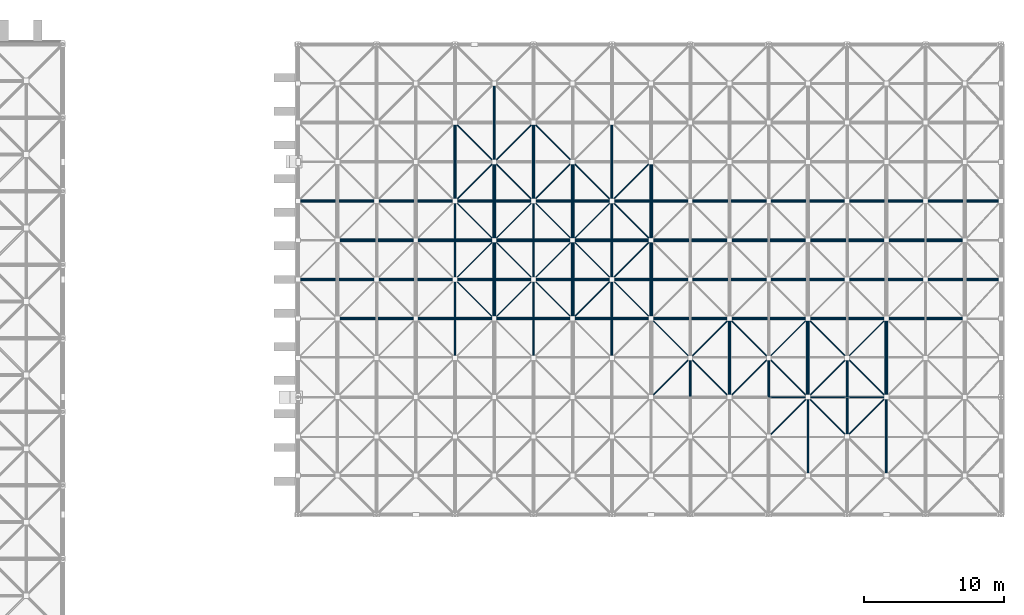
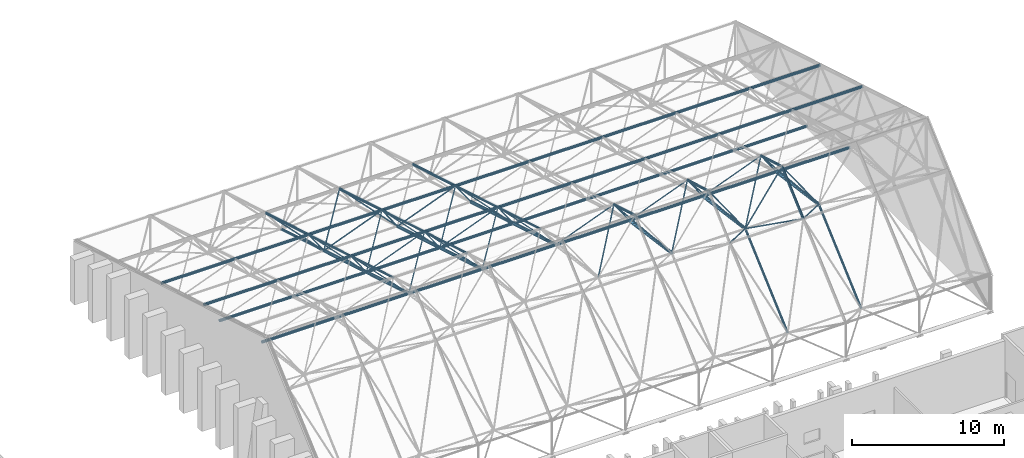
# One storey, part 36 of 100: 70 members.
"""IFC4 building model written with IfcOpenShell, lengths in metres."""

from ifc_helpers import new_model, si_unit, direction, frame, origin, origin_2d, place, context, subcontext, project, spatial, hollow_circle, extrude, material, material_profile, profile_set, type_object, element, save


model = new_model("IFC4")

# Units and contexts
model_context = context("Model", 3, precision=1e-05, world=origin(), true_north=direction((0.0, 1.0)))
body_context = subcontext(model_context, "Body", "Model", "MODEL_VIEW")
ifc_project = project(units=[si_unit("LENGTHUNIT", "METRE"), si_unit("AREAUNIT", "SQUARE_METRE"), si_unit("VOLUMEUNIT", "CUBIC_METRE"), si_unit("PLANEANGLEUNIT", "RADIAN"), si_unit("MASSUNIT", "GRAM", prefix="KILO")], contexts=[model_context])

# Site, building, storey
site_placement = place(None, origin())
site = spatial("IfcSite", under=ifc_project, at=site_placement, CompositionType="ELEMENT")
building_placement = place(site_placement, origin())
building = spatial("IfcBuilding", under=site, at=building_placement, Name="Kiln Court Media Centre", CompositionType="ELEMENT")
storey_placement = place(building_placement, frame((0.0, 0.0, 15.0)))
storey = spatial("IfcBuildingStorey", under=building, at=storey_placement, Name="L03", CompositionType="ELEMENT", Elevation=15.0)

# Members
ifc_material_1 = material(Name="Steel ASTM A500 Gr C", Category="steel")
ifc_material_profile_1 = material_profile(ifc_material_1, hollow_circle(Radius=0.05078125, WallThickness=0.0048828125, at=origin_2d()), Name="CHS 101.6x5.0")
ifc_profile_set_1 = profile_set([ifc_material_profile_1], Name="Steel ASTM A500 Gr C")
member_type_1 = type_object("IfcMemberType", Name="Steel ASTM A500 Gr C CHS 101.6x5.0 space frame brace", PredefinedType="BRACE", material=ifc_profile_set_1)
member_1_placement = place(storey_placement, frame((142.800048828125, 42.0, 6.478271484375), z_axis=(0.550758393182, 0.550758393182, 0.627160573281), x_axis=(-0.707106781187, 0.707106781187, 0.0)))
element("IfcMember", 1, at=member_1_placement, inside=storey, type_object=member_type_1, Name="V2 roof diagonal 2-5 space frame brace", PredefinedType="BRACE", context=body_context, shape_type="SweptSolid", body=[
    extrude(hollow_circle(Radius=0.05078125, WallThickness=0.0048828125, at=origin_2d()), origin(), (0.0, 0.0, 1.0), 5.083984375),
])
member_2_placement = place(storey_placement, frame((148.39990234375, 42.0, 6.478271484375), z_axis=(-0.550724936959, 0.550772959713, 0.627177160506), x_axis=(-0.70713760873, -0.707075952299, 0.0)))
element("IfcMember", 2, at=member_2_placement, inside=storey, type_object=member_type_1, Name="V2 roof diagonal 2-6 space frame brace", PredefinedType="BRACE", context=body_context, shape_type="SweptSolid", body=[
    extrude(hollow_circle(Radius=0.05078125, WallThickness=0.0048828125, at=origin_2d()), origin(), (0.0, 0.0, 1.0), 5.083740234375),
])
member_3_placement = place(storey_placement, frame((148.39990234375, 42.0, 6.478271484375), z_axis=(0.550758393182, 0.550758393182, 0.627160573281), x_axis=(-0.707106781187, 0.707106781187, 0.0)))
element("IfcMember", 3, at=member_3_placement, inside=storey, type_object=member_type_1, Name="V2 roof diagonal 2-6 space frame brace", PredefinedType="BRACE", context=body_context, shape_type="SweptSolid", body=[
    extrude(hollow_circle(Radius=0.05078125, WallThickness=0.0048828125, at=origin_2d()), origin(), (0.0, 0.0, 1.0), 5.083984375),
])
member_4_placement = place(storey_placement, frame((154.0, 42.0, 6.478271484375), z_axis=(-0.660047429834, -0.660047429834, 0.358712671563), x_axis=(0.707106781187, -0.707106781187, 0.0)))
element("IfcMember", 4, at=member_4_placement, inside=storey, type_object=member_type_1, Name="V2 roof diagonal 2-7 space frame brace", PredefinedType="BRACE", context=body_context, shape_type="SweptSolid", body=[
    extrude(hollow_circle(Radius=0.05078125, WallThickness=0.0048828125, at=origin_2d()), origin(), (0.0, 0.0, 1.0), 4.2421875),
])
member_5_placement = place(storey_placement, frame((154.0, 42.0, 6.478271484375), z_axis=(-0.550758393182, 0.550758393182, 0.627160573281), x_axis=(-0.707106781187, -0.707106781187, 0.0)))
element("IfcMember", 5, at=member_5_placement, inside=storey, type_object=member_type_1, Name="V2 roof diagonal 2-7 space frame brace", PredefinedType="BRACE", context=body_context, shape_type="SweptSolid", body=[
    extrude(hollow_circle(Radius=0.05078125, WallThickness=0.0048828125, at=origin_2d()), origin(), (0.0, 0.0, 1.0), 5.083984375),
])
member_6_placement = place(storey_placement, frame((154.0, 42.0, 6.478271484375), z_axis=(0.660047429834, -0.660047429834, 0.358712671563), x_axis=(0.707106781187, 0.707106781187, 0.0)))
element("IfcMember", 6, at=member_6_placement, inside=storey, type_object=member_type_1, Name="V2 roof diagonal 2-7 space frame brace", PredefinedType="BRACE", context=body_context, shape_type="SweptSolid", body=[
    extrude(hollow_circle(Radius=0.05078125, WallThickness=0.0048828125, at=origin_2d()), origin(), (0.0, 0.0, 1.0), 4.2421875),
])
member_7_placement = place(storey_placement, frame((154.0, 42.0, 6.478271484375), z_axis=(0.550758393182, 0.550758393182, 0.627160573281), x_axis=(-0.707106781187, 0.707106781187, 0.0)))
element("IfcMember", 7, at=member_7_placement, inside=storey, type_object=member_type_1, Name="V2 roof diagonal 2-7 space frame brace", PredefinedType="BRACE", context=body_context, shape_type="SweptSolid", body=[
    extrude(hollow_circle(Radius=0.05078125, WallThickness=0.0048828125, at=origin_2d()), origin(), (0.0, 0.0, 1.0), 5.083984375),
])
for number, where, z_axis, x_axis, name in (
    (8, (154.0, 42.0, 6.478271484375), (-0.571384117126, 0.0, 0.820682758864), (0.0, -1.0, 0.0), "V2 roof ridge diagonal 2-7 space frame brace"),
    (9, (154.0, 42.0, 6.478271484375), (0.571384117126, 0.0, 0.820682758864), (0.0, 1.0, 0.0), "V2 roof ridge diagonal 2-7 space frame brace"),
):
    element("IfcMember", number, at=place(storey_placement, frame(where, z_axis=z_axis, x_axis=x_axis)), inside=storey, type_object=member_type_1, Name=name, PredefinedType="BRACE", context=body_context, shape_type="SweptSolid", body=[
        extrude(hollow_circle(Radius=0.05078125, WallThickness=0.0048828125, at=origin_2d()), origin(), (0.0, 0.0, 1.0), 4.900390625),
    ])
member_8_placement = place(storey_placement, frame((159.60009765625, 42.0, 6.478271484375), z_axis=(-0.660047429834, -0.660047429834, 0.358712671563), x_axis=(0.707106781187, -0.707106781187, 0.0)))
element("IfcMember", 10, at=member_8_placement, inside=storey, type_object=member_type_1, Name="V2 roof diagonal 2-8 space frame brace", PredefinedType="BRACE", context=body_context, shape_type="SweptSolid", body=[
    extrude(hollow_circle(Radius=0.05078125, WallThickness=0.0048828125, at=origin_2d()), origin(), (0.0, 0.0, 1.0), 4.2421875),
])
member_9_placement = place(storey_placement, frame((159.60009765625, 42.0, 6.478271484375), z_axis=(-0.550758393182, 0.550758393182, 0.627160573281), x_axis=(-0.707106781187, -0.707106781187, 0.0)))
element("IfcMember", 11, at=member_9_placement, inside=storey, type_object=member_type_1, Name="V2 roof diagonal 2-8 space frame brace", PredefinedType="BRACE", context=body_context, shape_type="SweptSolid", body=[
    extrude(hollow_circle(Radius=0.05078125, WallThickness=0.0048828125, at=origin_2d()), origin(), (0.0, 0.0, 1.0), 5.083984375),
])
member_10_placement = place(storey_placement, frame((159.60009765625, 42.0, 6.478271484375), z_axis=(-0.571384117126, 0.0, 0.820682758864), x_axis=(0.0, -1.0, 0.0)))
element("IfcMember", 12, at=member_10_placement, inside=storey, type_object=member_type_1, Name="V2 roof ridge diagonal 2-8 space frame brace", PredefinedType="BRACE", context=body_context, shape_type="SweptSolid", body=[
    extrude(hollow_circle(Radius=0.05078125, WallThickness=0.0048828125, at=origin_2d()), origin(), (0.0, 0.0, 1.0), 4.900390625),
])
member_11_placement = place(storey_placement, frame((131.60009765625, 58.800048828125, 2.3701171875), z_axis=(-0.499793739087, -0.499793739087, 0.707398357886), x_axis=(0.707106781187, -0.707106781187, 0.0)))
element("IfcMember", 13, at=member_11_placement, inside=storey, type_object=member_type_1, Name="V2 roof diagonal 5-3 space frame brace", PredefinedType="BRACE", context=body_context, shape_type="SweptSolid", body=[
    extrude(hollow_circle(Radius=0.05078125, WallThickness=0.0048828125, at=origin_2d()), origin(), (0.0, 0.0, 1.0), 5.602294921875),
])
member_12_placement = place(storey_placement, frame((131.60009765625, 58.800048828125, 2.3701171875), z_axis=(-0.611675588557, 0.611675588557, 0.501703048353), x_axis=(-0.707106781187, -0.707106781187, 0.0)))
element("IfcMember", 14, at=member_12_placement, inside=storey, type_object=member_type_1, Name="V2 roof diagonal 5-3 space frame brace", PredefinedType="BRACE", context=body_context, shape_type="SweptSolid", body=[
    extrude(hollow_circle(Radius=0.05078125, WallThickness=0.0048828125, at=origin_2d()), origin(), (0.0, 0.0, 1.0), 4.57763671875),
])
member_13_placement = place(storey_placement, frame((131.60009765625, 58.800048828125, 2.3701171875), z_axis=(0.499761045685, -0.49980462443, 0.70741376479), x_axis=(0.70713760873, 0.707075952299, 0.0)))
element("IfcMember", 15, at=member_13_placement, inside=storey, type_object=member_type_1, Name="V2 roof diagonal 5-3 space frame brace", PredefinedType="BRACE", context=body_context, shape_type="SweptSolid", body=[
    extrude(hollow_circle(Radius=0.05078125, WallThickness=0.0048828125, at=origin_2d()), origin(), (0.0, 0.0, 1.0), 5.602294921875),
])
member_14_placement = place(storey_placement, frame((131.60009765625, 58.800048828125, 2.3701171875), z_axis=(0.611642208339, 0.611695543028, 0.501719415229), x_axis=(-0.70713760873, 0.707075952299, 0.0)))
element("IfcMember", 16, at=member_14_placement, inside=storey, type_object=member_type_1, Name="V2 roof diagonal 5-3 space frame brace", PredefinedType="BRACE", context=body_context, shape_type="SweptSolid", body=[
    extrude(hollow_circle(Radius=0.05078125, WallThickness=0.0048828125, at=origin_2d()), origin(), (0.0, 0.0, 1.0), 4.57763671875),
])
member_15_placement = place(storey_placement, frame((137.199951171875, 58.800048828125, 2.3701171875), z_axis=(-0.499793739087, -0.499793739087, 0.707398357886), x_axis=(0.707106781187, -0.707106781187, 0.0)))
element("IfcMember", 17, at=member_15_placement, inside=storey, type_object=member_type_1, Name="V2 roof diagonal 5-4 space frame brace", PredefinedType="BRACE", context=body_context, shape_type="SweptSolid", body=[
    extrude(hollow_circle(Radius=0.05078125, WallThickness=0.0048828125, at=origin_2d()), origin(), (0.0, 0.0, 1.0), 5.602294921875),
])
member_16_placement = place(storey_placement, frame((137.199951171875, 58.800048828125, 2.3701171875), z_axis=(-0.611675588557, 0.611675588557, 0.501703048353), x_axis=(-0.707106781187, -0.707106781187, 0.0)))
element("IfcMember", 18, at=member_16_placement, inside=storey, type_object=member_type_1, Name="V2 roof diagonal 5-4 space frame brace", PredefinedType="BRACE", context=body_context, shape_type="SweptSolid", body=[
    extrude(hollow_circle(Radius=0.05078125, WallThickness=0.0048828125, at=origin_2d()), origin(), (0.0, 0.0, 1.0), 4.57763671875),
])
for number, where, z_axis, x_axis, name in (
    (19, (137.199951171875, 58.800048828125, 2.3701171875), (0.499793739087, -0.499793739087, 0.707398357886), (0.707106781187, 0.707106781187, 0.0), "V2 roof diagonal 5-4 space frame brace"),
    (20, (142.800048828125, 58.800048828125, 2.3701171875), (-0.499793739087, -0.499793739087, 0.707398357886), (0.707106781187, -0.707106781187, 0.0), "V2 roof diagonal 5-5 space frame brace"),
):
    element("IfcMember", number, at=place(storey_placement, frame(where, z_axis=z_axis, x_axis=x_axis)), inside=storey, type_object=member_type_1, Name=name, PredefinedType="BRACE", context=body_context, shape_type="SweptSolid", body=[
        extrude(hollow_circle(Radius=0.05078125, WallThickness=0.0048828125, at=origin_2d()), origin(), (0.0, 0.0, 1.0), 5.602294921875),
    ])
ifc_material_2 = material(Name="Steel ASTM A500 Gr C", Category="steel")
ifc_material_profile_2 = material_profile(ifc_material_2, hollow_circle(Radius=0.084228515625, WallThickness=0.00634765625, at=origin_2d()), Name="CHS 168.3x6.3")
ifc_profile_set_2 = profile_set([ifc_material_profile_2], Name="Steel ASTM A500 Gr C")
member_type_2 = type_object("IfcMemberType", Name="Steel ASTM A500 Gr C CHS 168.3x6.3 space frame chord", PredefinedType="CHORD", material=ifc_profile_set_2)
member_17_placement = place(storey_placement, frame((128.800048828125, 44.800048828125, 9.666748046875), z_axis=(0.0, 0.958446230045, -0.285273244649), x_axis=(-1.0, 0.0, 0.0)))
element("IfcMember", 21, at=member_17_placement, inside=storey, type_object=member_type_2, Name="V2 roof top chord across line 3 space frame chord", PredefinedType="CHORD", context=body_context, shape_type="SweptSolid", body=[
    extrude(hollow_circle(Radius=0.084228515625, WallThickness=0.00634765625, at=origin_2d()), origin(), (0.0, 0.0, 1.0), 5.842529296875),
])
member_18_placement = place(storey_placement, frame((128.800048828125, 50.39990234375, 8.0), z_axis=(0.0, 0.958449630422, -0.285261819988), x_axis=(-1.0, 0.0, 0.0)))
element("IfcMember", 22, at=member_18_placement, inside=storey, type_object=member_type_2, Name="V2 roof top chord across line 3 space frame chord", PredefinedType="CHORD", context=body_context, shape_type="SweptSolid", body=[
    extrude(hollow_circle(Radius=0.084228515625, WallThickness=0.00634765625, at=origin_2d()), origin(), (0.0, 0.0, 1.0), 5.8427734375),
])
member_19_placement = place(storey_placement, frame((134.39990234375, 44.800048828125, 9.666748046875), z_axis=(0.0, 0.958446230045, -0.285273244649), x_axis=(-1.0, 0.0, 0.0)))
element("IfcMember", 23, at=member_19_placement, inside=storey, type_object=member_type_2, Name="V2 roof top chord across line 4 space frame chord", PredefinedType="CHORD", context=body_context, shape_type="SweptSolid", body=[
    extrude(hollow_circle(Radius=0.084228515625, WallThickness=0.00634765625, at=origin_2d()), origin(), (0.0, 0.0, 1.0), 5.842529296875),
])
member_20_placement = place(storey_placement, frame((134.39990234375, 50.39990234375, 8.0), z_axis=(0.0, 0.958449630422, -0.285261819988), x_axis=(-1.0, 0.0, 0.0)))
element("IfcMember", 24, at=member_20_placement, inside=storey, type_object=member_type_2, Name="V2 roof top chord across line 4 space frame chord", PredefinedType="CHORD", context=body_context, shape_type="SweptSolid", body=[
    extrude(hollow_circle(Radius=0.084228515625, WallThickness=0.00634765625, at=origin_2d()), origin(), (0.0, 0.0, 1.0), 5.8427734375),
])
member_21_placement = place(storey_placement, frame((140.0, 44.800048828125, 9.666748046875), z_axis=(0.0, 0.958446230045, -0.285273244649), x_axis=(-1.0, 0.0, 0.0)))
element("IfcMember", 25, at=member_21_placement, inside=storey, type_object=member_type_2, Name="V2 roof top chord across line 5 space frame chord", PredefinedType="CHORD", context=body_context, shape_type="SweptSolid", body=[
    extrude(hollow_circle(Radius=0.084228515625, WallThickness=0.00634765625, at=origin_2d()), origin(), (0.0, 0.0, 1.0), 5.842529296875),
])
member_22_placement = place(storey_placement, frame((140.0, 50.39990234375, 8.0), z_axis=(0.0, 0.958449630422, -0.285261819988), x_axis=(-1.0, 0.0, 0.0)))
element("IfcMember", 26, at=member_22_placement, inside=storey, type_object=member_type_2, Name="V2 roof top chord across line 5 space frame chord", PredefinedType="CHORD", context=body_context, shape_type="SweptSolid", body=[
    extrude(hollow_circle(Radius=0.084228515625, WallThickness=0.00634765625, at=origin_2d()), origin(), (0.0, 0.0, 1.0), 5.8427734375),
])
for number, where, z_axis, x_axis, name in (
    (27, (154.0, 36.39990234375, 1.478271484375), (0.0, 0.745943431645, 0.666009306831), (-1.0, 0.0, 0.0), "V2 roof bottom chord across line 7 space frame chord"),
    (28, (159.60009765625, 36.39990234375, 1.478271484375), (0.0, 0.745943431645, 0.666009306831), (-1.0, 0.0, 0.0), "V2 roof bottom chord across line 8 space frame chord"),
):
    element("IfcMember", number, at=place(storey_placement, frame(where, z_axis=z_axis, x_axis=x_axis)), inside=storey, type_object=member_type_2, Name=name, PredefinedType="CHORD", context=body_context, shape_type="SweptSolid", body=[
        extrude(hollow_circle(Radius=0.084228515625, WallThickness=0.00634765625, at=origin_2d()), origin(), (0.0, 0.0, 1.0), 7.50732421875),
    ])
ifc_material_3 = material(Name="Steel ASTM A500 Gr C", Category="steel")
ifc_material_profile_3 = material_profile(ifc_material_3, hollow_circle(Radius=0.096923828125, WallThickness=0.008056640625, at=origin_2d()), Name="CHS 193.7x8.0")
ifc_profile_set_3 = profile_set([ifc_material_profile_3], Name="Steel ASTM A500 Gr C")
member_type_3 = type_object("IfcMemberType", Name="Steel ASTM A500 Gr C CHS 193.7x8.0 space frame chord", PredefinedType="CHORD", material=ifc_profile_set_3)
for number, where, z_axis, x_axis, name in (
    (29, (128.800048828125, 56.0, 6.333251953125), (0.0, 0.958461054013, -0.285223435116), (-1.0, 0.0, 0.0), "V2 roof top chord across line 3 space frame chord"),
    (30, (134.39990234375, 56.0, 6.333251953125), (0.0, 0.958461054013, -0.285223435116), (-1.0, 0.0, 0.0), "V2 roof top chord across line 4 space frame chord"),
    (31, (140.0, 56.0, 6.333251953125), (0.0, 0.958461054013, -0.285223435116), (-1.0, 0.0, 0.0), "V2 roof top chord across line 5 space frame chord"),
):
    element("IfcMember", number, at=place(storey_placement, frame(where, z_axis=z_axis, x_axis=x_axis)), inside=storey, type_object=member_type_3, Name=name, PredefinedType="CHORD", context=body_context, shape_type="SweptSolid", body=[
        extrude(hollow_circle(Radius=0.096923828125, WallThickness=0.008056640625, at=origin_2d()), origin(), (0.0, 0.0, 1.0), 5.8427734375),
    ])
for number, where, z_axis, x_axis, name in (
    (32, (145.60009765625, 42.0, 10.5), (0.0, 0.958461054013, -0.285223435116), (-1.0, 0.0, 0.0), "V2 roof top chord across line 6 space frame chord"),
    (33, (151.199951171875, 42.0, 10.5), (0.0, 0.958461054013, -0.285223435116), (-1.0, 0.0, 0.0), "V2 roof top chord across line 7 space frame chord"),
):
    element("IfcMember", number, at=place(storey_placement, frame(where, z_axis=z_axis, x_axis=x_axis)), inside=storey, type_object=member_type_3, Name=name, PredefinedType="CHORD", context=body_context, shape_type="SweptSolid", body=[
        extrude(hollow_circle(Radius=0.096923828125, WallThickness=0.008056640625, at=origin_2d()), origin(), (0.0, 0.0, 1.0), 2.92138671875),
    ])
member_23_placement = place(storey_placement, frame((156.800048828125, 39.199951171875, 8.0), z_axis=(0.0, 0.745943431645, 0.666009306831), x_axis=(-1.0, 0.0, 0.0)))
element("IfcMember", 34, at=member_23_placement, inside=storey, type_object=member_type_3, Name="V2 roof top chord across line 8 space frame chord", PredefinedType="CHORD", context=body_context, shape_type="SweptSolid", body=[
    extrude(hollow_circle(Radius=0.096923828125, WallThickness=0.008056640625, at=origin_2d()), origin(), (0.0, 0.0, 1.0), 3.753662109375),
])
member_24_placement = place(storey_placement, frame((156.800048828125, 42.0, 10.5), z_axis=(0.0, 0.958461054013, -0.285223435116), x_axis=(-1.0, 0.0, 0.0)))
element("IfcMember", 35, at=member_24_placement, inside=storey, type_object=member_type_3, Name="V2 roof top chord across line 8 space frame chord", PredefinedType="CHORD", context=body_context, shape_type="SweptSolid", body=[
    extrude(hollow_circle(Radius=0.096923828125, WallThickness=0.008056640625, at=origin_2d()), origin(), (0.0, 0.0, 1.0), 2.92138671875),
])
member_25_placement = place(storey_placement, frame((131.60009765625, 58.800048828125, 2.3701171875), z_axis=(0.0, 0.958446230045, -0.285273244649), x_axis=(-1.0, 0.0, 0.0)))
element("IfcMember", 36, at=member_25_placement, inside=storey, type_object=member_type_3, Name="V2 roof bottom chord across line 3 space frame chord", PredefinedType="CHORD", context=body_context, shape_type="SweptSolid", body=[
    extrude(hollow_circle(Radius=0.096923828125, WallThickness=0.008056640625, at=origin_2d()), origin(), (0.0, 0.0, 1.0), 5.842529296875),
])
ifc_material_4 = material(Name="Steel ASTM A500 Gr C", Category="steel")
ifc_material_profile_4 = material_profile(ifc_material_4, hollow_circle(Radius=0.109619140625, WallThickness=0.008056640625, at=origin_2d()), Name="CHS 219.1x8.0")
ifc_profile_set_4 = profile_set([ifc_material_profile_4], Name="Steel ASTM A500 Gr C")
member_type_4 = type_object("IfcMemberType", Name="Steel ASTM A500 Gr C CHS 219.1x8.0 space frame chord", PredefinedType="CHORD", material=ifc_profile_set_4)
for number, where, z_axis, x_axis, name in (
    (37, (117.60009765625, 50.39990234375, 8.0), (1.0, 0.0, 0.0), (0.0, 1.0, 0.0), "V2 roof top chord along line 5 space frame chord"),
    (38, (117.60009765625, 56.0, 6.333251953125), (1.0, 0.0, 0.0), (0.0, 1.0, 0.0), "V2 roof top chord along line 6 space frame chord"),
):
    element("IfcMember", number, at=place(storey_placement, frame(where, z_axis=z_axis, x_axis=x_axis)), inside=storey, type_object=member_type_4, Name=name, PredefinedType="CHORD", context=body_context, shape_type="SweptSolid", body=[
        extrude(hollow_circle(Radius=0.109619140625, WallThickness=0.008056640625, at=origin_2d()), origin(), (0.0, 0.0, 1.0), 50.1865234375),
    ])
for number, where, z_axis, x_axis, name in (
    (39, (120.39990234375, 47.60009765625, 5.703369140625), (1.0, 0.0, 0.0), (0.0, 1.0, 0.0), "V2 roof bottom chord along line 3 space frame chord"),
    (40, (120.39990234375, 53.199951171875, 4.03662109375), (1.0, 0.0, 0.0), (0.0, 1.0, 0.0), "V2 roof bottom chord along line 4 space frame chord"),
):
    element("IfcMember", number, at=place(storey_placement, frame(where, z_axis=z_axis, x_axis=x_axis)), inside=storey, type_object=member_type_4, Name=name, PredefinedType="CHORD", context=body_context, shape_type="SweptSolid", body=[
        extrude(hollow_circle(Radius=0.109619140625, WallThickness=0.008056640625, at=origin_2d()), origin(), (0.0, 0.0, 1.0), 44.800048828125),
    ])
ifc_material_5 = material(Name="Steel ASTM A500 Gr C", Category="steel")
ifc_material_profile_5 = material_profile(ifc_material_5, hollow_circle(Radius=0.122314453125, WallThickness=0.010009765625, at=origin_2d()), Name="CHS 244.5x10.0")
ifc_profile_set_5 = profile_set([ifc_material_profile_5], Name="Steel ASTM A500 Gr C")
member_type_5 = type_object("IfcMemberType", Name="Steel ASTM A500 Gr C CHS 244.5x10.0 space frame chord", PredefinedType="CHORD", material=ifc_profile_set_5)
member_26_placement = place(storey_placement, frame((131.60009765625, 47.60009765625, 5.703369140625), z_axis=(0.0, 0.958446230045, -0.285273244649), x_axis=(-1.0, 0.0, 0.0)))
element("IfcMember", 41, at=member_26_placement, inside=storey, type_object=member_type_5, Name="V2 roof bottom chord across line 3 space frame chord", PredefinedType="CHORD", context=body_context, shape_type="SweptSolid", body=[
    extrude(hollow_circle(Radius=0.122314453125, WallThickness=0.010009765625, at=origin_2d()), origin(), (0.0, 0.0, 1.0), 5.842529296875),
])
member_27_placement = place(storey_placement, frame((131.60009765625, 53.199951171875, 4.03662109375), z_axis=(0.0, 0.958461054013, -0.285223435116), x_axis=(-1.0, 0.0, 0.0)))
element("IfcMember", 42, at=member_27_placement, inside=storey, type_object=member_type_5, Name="V2 roof bottom chord across line 3 space frame chord", PredefinedType="CHORD", context=body_context, shape_type="SweptSolid", body=[
    extrude(hollow_circle(Radius=0.122314453125, WallThickness=0.010009765625, at=origin_2d()), origin(), (0.0, 0.0, 1.0), 5.8427734375),
])
member_28_placement = place(storey_placement, frame((137.199951171875, 47.60009765625, 5.703369140625), z_axis=(0.0, 0.958446230045, -0.285273244649), x_axis=(-1.0, 0.0, 0.0)))
element("IfcMember", 43, at=member_28_placement, inside=storey, type_object=member_type_5, Name="V2 roof bottom chord across line 4 space frame chord", PredefinedType="CHORD", context=body_context, shape_type="SweptSolid", body=[
    extrude(hollow_circle(Radius=0.122314453125, WallThickness=0.010009765625, at=origin_2d()), origin(), (0.0, 0.0, 1.0), 5.842529296875),
])
member_29_placement = place(storey_placement, frame((137.199951171875, 53.199951171875, 4.03662109375), z_axis=(0.0, 0.958461054013, -0.285223435116), x_axis=(-1.0, 0.0, 0.0)))
element("IfcMember", 44, at=member_29_placement, inside=storey, type_object=member_type_5, Name="V2 roof bottom chord across line 4 space frame chord", PredefinedType="CHORD", context=body_context, shape_type="SweptSolid", body=[
    extrude(hollow_circle(Radius=0.122314453125, WallThickness=0.010009765625, at=origin_2d()), origin(), (0.0, 0.0, 1.0), 5.8427734375),
])
member_30_placement = place(storey_placement, frame((142.800048828125, 47.60009765625, 5.703369140625), z_axis=(0.0, 0.958446230045, -0.285273244649), x_axis=(-1.0, 0.0, 0.0)))
element("IfcMember", 45, at=member_30_placement, inside=storey, type_object=member_type_5, Name="V2 roof bottom chord across line 5 space frame chord", PredefinedType="CHORD", context=body_context, shape_type="SweptSolid", body=[
    extrude(hollow_circle(Radius=0.122314453125, WallThickness=0.010009765625, at=origin_2d()), origin(), (0.0, 0.0, 1.0), 5.842529296875),
])
member_31_placement = place(storey_placement, frame((142.800048828125, 53.199951171875, 4.03662109375), z_axis=(0.0, 0.958461054013, -0.285223435116), x_axis=(-1.0, 0.0, 0.0)))
element("IfcMember", 46, at=member_31_placement, inside=storey, type_object=member_type_5, Name="V2 roof bottom chord across line 5 space frame chord", PredefinedType="CHORD", context=body_context, shape_type="SweptSolid", body=[
    extrude(hollow_circle(Radius=0.122314453125, WallThickness=0.010009765625, at=origin_2d()), origin(), (0.0, 0.0, 1.0), 5.8427734375),
])
for number, where, z_axis, x_axis, name in (
    (47, (148.39990234375, 42.0, 6.478271484375), (0.0, 0.990561777326, -0.137067010255), (-1.0, 0.0, 0.0), "V2 roof bottom chord across line 6 space frame chord"),
    (48, (154.0, 42.0, 6.478271484375), (0.0, 0.990561777326, -0.137067010255), (-1.0, 0.0, 0.0), "V2 roof bottom chord across line 7 space frame chord"),
    (49, (159.60009765625, 42.0, 6.478271484375), (0.0, 0.990561777326, -0.137067010255), (-1.0, 0.0, 0.0), "V2 roof bottom chord across line 8 space frame chord"),
):
    element("IfcMember", number, at=place(storey_placement, frame(where, z_axis=z_axis, x_axis=x_axis)), inside=storey, type_object=member_type_5, Name=name, PredefinedType="CHORD", context=body_context, shape_type="SweptSolid", body=[
        extrude(hollow_circle(Radius=0.122314453125, WallThickness=0.010009765625, at=origin_2d()), origin(), (0.0, 0.0, 1.0), 5.653564453125),
    ])
ifc_material_6 = material(Name="Steel ASTM A500 Gr C", Category="steel")
ifc_material_profile_6 = material_profile(ifc_material_6, hollow_circle(Radius=0.04443359375, WallThickness=0.00390625, at=origin_2d()), Name="CHS 88.9x4.0")
ifc_profile_set_6 = profile_set([ifc_material_profile_6], Name="Steel ASTM A500 Gr C")
member_type_6 = type_object("IfcMemberType", Name="Steel ASTM A500 Gr C CHS 88.9x4.0 space frame brace", PredefinedType="BRACE", material=ifc_profile_set_6)
member_32_placement = place(storey_placement, frame((131.60009765625, 47.60009765625, 5.703369140625), z_axis=(-0.611695543028, 0.611642208339, 0.501719415229), x_axis=(-0.707075952299, -0.70713760873, 0.0)))
element("IfcMember", 50, at=member_32_placement, inside=storey, type_object=member_type_6, Name="V2 roof diagonal 3-3 space frame brace", PredefinedType="BRACE", context=body_context, shape_type="SweptSolid", body=[
    extrude(hollow_circle(Radius=0.04443359375, WallThickness=0.00390625, at=origin_2d()), origin(), (0.0, 0.0, 1.0), 4.57763671875),
])
member_33_placement = place(storey_placement, frame((131.60009765625, 47.60009765625, 5.703369140625), z_axis=(0.611662163023, 0.611662163023, 0.501735783707), x_axis=(-0.707106781187, 0.707106781187, 0.0)))
element("IfcMember", 51, at=member_33_placement, inside=storey, type_object=member_type_6, Name="V2 roof diagonal 3-3 space frame brace", PredefinedType="BRACE", context=body_context, shape_type="SweptSolid", body=[
    extrude(hollow_circle(Radius=0.04443359375, WallThickness=0.00390625, at=origin_2d()), origin(), (0.0, 0.0, 1.0), 4.577392578125),
])
for number, where, z_axis, x_axis, name in (
    (52, (137.199951171875, 47.60009765625, 5.703369140625), (-0.611695543028, 0.611642208339, 0.501719415229), (-0.707075952299, -0.70713760873, 0.0), "V2 roof diagonal 3-4 space frame brace"),
    (53, (137.199951171875, 47.60009765625, 5.703369140625), (0.611695543028, 0.611642208339, 0.501719415229), (-0.707075952299, 0.70713760873, 0.0), "V2 roof diagonal 3-4 space frame brace"),
    (54, (142.800048828125, 47.60009765625, 5.703369140625), (-0.611695543028, 0.611642208339, 0.501719415229), (-0.707075952299, -0.70713760873, 0.0), "V2 roof diagonal 3-5 space frame brace"),
):
    element("IfcMember", number, at=place(storey_placement, frame(where, z_axis=z_axis, x_axis=x_axis)), inside=storey, type_object=member_type_6, Name=name, PredefinedType="BRACE", context=body_context, shape_type="SweptSolid", body=[
        extrude(hollow_circle(Radius=0.04443359375, WallThickness=0.00390625, at=origin_2d()), origin(), (0.0, 0.0, 1.0), 4.57763671875),
    ])
for number, where, z_axis, x_axis, name in (
    (55, (142.800048828125, 47.60009765625, 5.703369140625), (0.499778332252, -0.499778332252, 0.707420127804), (0.707106781187, 0.707106781187, 0.0), "V2 roof diagonal 3-5 space frame brace"),
    (56, (148.39990234375, 47.60009765625, 5.703369140625), (-0.499745639188, -0.499789216589, 0.707435534232), (0.70713760873, -0.707075952299, 0.0), "V2 roof diagonal 3-6 space frame brace"),
    (57, (148.39990234375, 47.60009765625, 5.703369140625), (0.499778332252, -0.499778332252, 0.707420127804), (0.707106781187, 0.707106781187, 0.0), "V2 roof diagonal 3-6 space frame brace"),
    (58, (154.0, 47.60009765625, 5.703369140625), (-0.499778332252, -0.499778332252, 0.707420127804), (0.707106781187, -0.707106781187, 0.0), "V2 roof diagonal 3-7 space frame brace"),
    (59, (154.0, 47.60009765625, 5.703369140625), (0.499778332252, -0.499778332252, 0.707420127804), (0.707106781187, 0.707106781187, 0.0), "V2 roof diagonal 3-7 space frame brace"),
    (60, (159.60009765625, 47.60009765625, 5.703369140625), (-0.499778332252, -0.499778332252, 0.707420127804), (0.707106781187, -0.707106781187, 0.0), "V2 roof diagonal 3-8 space frame brace"),
    (61, (131.60009765625, 53.199951171875, 4.03662109375), (-0.499778332252, -0.499778332252, 0.707420127804), (0.707106781187, -0.707106781187, 0.0), "V2 roof diagonal 4-3 space frame brace"),
):
    element("IfcMember", number, at=place(storey_placement, frame(where, z_axis=z_axis, x_axis=x_axis)), inside=storey, type_object=member_type_6, Name=name, PredefinedType="BRACE", context=body_context, shape_type="SweptSolid", body=[
        extrude(hollow_circle(Radius=0.04443359375, WallThickness=0.00390625, at=origin_2d()), origin(), (0.0, 0.0, 1.0), 5.6025390625),
    ])
member_34_placement = place(storey_placement, frame((131.60009765625, 53.199951171875, 4.03662109375), z_axis=(-0.611675588557, 0.611675588557, 0.501703048353), x_axis=(-0.707106781187, -0.707106781187, 0.0)))
element("IfcMember", 62, at=member_34_placement, inside=storey, type_object=member_type_6, Name="V2 roof diagonal 4-3 space frame brace", PredefinedType="BRACE", context=body_context, shape_type="SweptSolid", body=[
    extrude(hollow_circle(Radius=0.04443359375, WallThickness=0.00390625, at=origin_2d()), origin(), (0.0, 0.0, 1.0), 4.57763671875),
])
member_35_placement = place(storey_placement, frame((131.60009765625, 53.199951171875, 4.03662109375), z_axis=(0.499745639188, -0.499789216589, 0.707435534232), x_axis=(0.70713760873, 0.707075952299, 0.0)))
element("IfcMember", 63, at=member_35_placement, inside=storey, type_object=member_type_6, Name="V2 roof diagonal 4-3 space frame brace", PredefinedType="BRACE", context=body_context, shape_type="SweptSolid", body=[
    extrude(hollow_circle(Radius=0.04443359375, WallThickness=0.00390625, at=origin_2d()), origin(), (0.0, 0.0, 1.0), 5.6025390625),
])
member_36_placement = place(storey_placement, frame((131.60009765625, 53.199951171875, 4.03662109375), z_axis=(0.611642208339, 0.611695543028, 0.501719415229), x_axis=(-0.70713760873, 0.707075952299, 0.0)))
element("IfcMember", 64, at=member_36_placement, inside=storey, type_object=member_type_6, Name="V2 roof diagonal 4-3 space frame brace", PredefinedType="BRACE", context=body_context, shape_type="SweptSolid", body=[
    extrude(hollow_circle(Radius=0.04443359375, WallThickness=0.00390625, at=origin_2d()), origin(), (0.0, 0.0, 1.0), 4.57763671875),
])
member_37_placement = place(storey_placement, frame((137.199951171875, 53.199951171875, 4.03662109375), z_axis=(-0.499778332252, -0.499778332252, 0.707420127804), x_axis=(0.707106781187, -0.707106781187, 0.0)))
element("IfcMember", 65, at=member_37_placement, inside=storey, type_object=member_type_6, Name="V2 roof diagonal 4-4 space frame brace", PredefinedType="BRACE", context=body_context, shape_type="SweptSolid", body=[
    extrude(hollow_circle(Radius=0.04443359375, WallThickness=0.00390625, at=origin_2d()), origin(), (0.0, 0.0, 1.0), 5.6025390625),
])
member_38_placement = place(storey_placement, frame((137.199951171875, 53.199951171875, 4.03662109375), z_axis=(-0.611675588557, 0.611675588557, 0.501703048353), x_axis=(-0.707106781187, -0.707106781187, 0.0)))
element("IfcMember", 66, at=member_38_placement, inside=storey, type_object=member_type_6, Name="V2 roof diagonal 4-4 space frame brace", PredefinedType="BRACE", context=body_context, shape_type="SweptSolid", body=[
    extrude(hollow_circle(Radius=0.04443359375, WallThickness=0.00390625, at=origin_2d()), origin(), (0.0, 0.0, 1.0), 4.57763671875),
])
member_39_placement = place(storey_placement, frame((137.199951171875, 53.199951171875, 4.03662109375), z_axis=(0.499778332252, -0.499778332252, 0.707420127804), x_axis=(0.707106781187, 0.707106781187, 0.0)))
element("IfcMember", 67, at=member_39_placement, inside=storey, type_object=member_type_6, Name="V2 roof diagonal 4-4 space frame brace", PredefinedType="BRACE", context=body_context, shape_type="SweptSolid", body=[
    extrude(hollow_circle(Radius=0.04443359375, WallThickness=0.00390625, at=origin_2d()), origin(), (0.0, 0.0, 1.0), 5.6025390625),
])
member_40_placement = place(storey_placement, frame((137.199951171875, 53.199951171875, 4.03662109375), z_axis=(0.611675588557, 0.611675588557, 0.501703048353), x_axis=(-0.707106781187, 0.707106781187, 0.0)))
element("IfcMember", 68, at=member_40_placement, inside=storey, type_object=member_type_6, Name="V2 roof diagonal 4-4 space frame brace", PredefinedType="BRACE", context=body_context, shape_type="SweptSolid", body=[
    extrude(hollow_circle(Radius=0.04443359375, WallThickness=0.00390625, at=origin_2d()), origin(), (0.0, 0.0, 1.0), 4.57763671875),
])
member_41_placement = place(storey_placement, frame((142.800048828125, 53.199951171875, 4.03662109375), z_axis=(-0.499778332252, -0.499778332252, 0.707420127804), x_axis=(0.707106781187, -0.707106781187, 0.0)))
element("IfcMember", 69, at=member_41_placement, inside=storey, type_object=member_type_6, Name="V2 roof diagonal 4-5 space frame brace", PredefinedType="BRACE", context=body_context, shape_type="SweptSolid", body=[
    extrude(hollow_circle(Radius=0.04443359375, WallThickness=0.00390625, at=origin_2d()), origin(), (0.0, 0.0, 1.0), 5.6025390625),
])
member_42_placement = place(storey_placement, frame((142.800048828125, 53.199951171875, 4.03662109375), z_axis=(-0.611675588557, 0.611675588557, 0.501703048353), x_axis=(-0.707106781187, -0.707106781187, 0.0)))
element("IfcMember", 70, at=member_42_placement, inside=storey, type_object=member_type_6, Name="V2 roof diagonal 4-5 space frame brace", PredefinedType="BRACE", context=body_context, shape_type="SweptSolid", body=[
    extrude(hollow_circle(Radius=0.04443359375, WallThickness=0.00390625, at=origin_2d()), origin(), (0.0, 0.0, 1.0), 4.57763671875),
])

save(model, "model.ifc")
